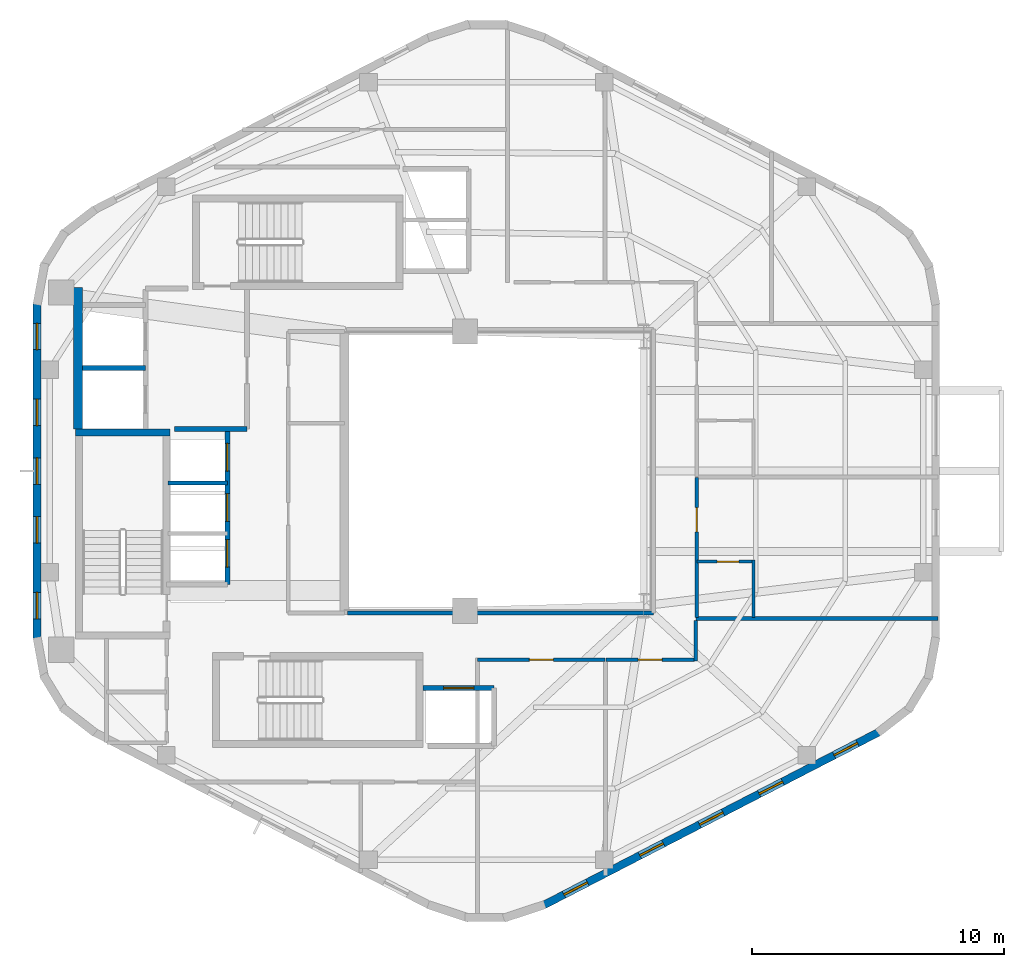
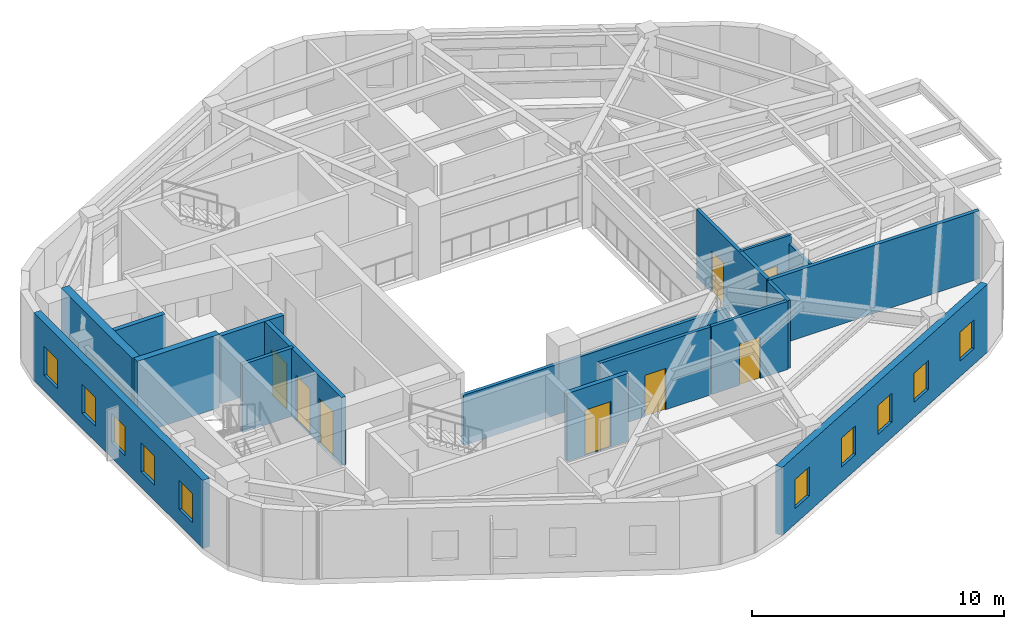
# One storey, part 3 of 6: 17 walls, 10 windows, 8 doors, 18 openings.
"""IFC4 building model written with IfcOpenShell, lengths in metres."""

from ifc_helpers import new_model, si_unit, direction, frame, frame_2d, origin, place, context, subcontext, project, spatial, rectangle, extrude, material, layer, layer_set, type_object, element, fill, save


model = new_model("IFC4")

# Units and contexts
model_context = context("Model", 3, precision=1e-05, world=origin(), true_north=direction((0.0, 1.0)))
body_context = subcontext(model_context, "Body", "Model", "MODEL_VIEW")
ifc_project = project(units=[si_unit("LENGTHUNIT", "METRE"), si_unit("AREAUNIT", "SQUARE_METRE"), si_unit("VOLUMEUNIT", "CUBIC_METRE"), si_unit("PLANEANGLEUNIT", "RADIAN"), si_unit("MASSUNIT", "GRAM", prefix="KILO"), si_unit("THERMODYNAMICTEMPERATUREUNIT", "KELVIN"), si_unit("POWERUNIT", "WATT")], contexts=[model_context])

# Site, building, storey
site_placement = place(None, origin())
site = spatial("IfcSite", under=ifc_project, at=site_placement, CompositionType="ELEMENT")
building_placement = place(site_placement, origin())
building = spatial("IfcBuilding", under=site, at=building_placement, Name="Skarre Station Tower", CompositionType="ELEMENT")
storey_placement = place(building_placement, frame((0.0, 0.0, 252.550048828125)))
storey = spatial("IfcBuildingStorey", under=building, at=storey_placement, Name="L69", CompositionType="ELEMENT", Elevation=252.550048828125)

# Wall
ifc_material_1 = material(Name="Acoustic Steel-Stud Gypsum Partition", Category="steel")
ifc_layer_1 = layer(ifc_material_1, 0.14990234375, Name="Acoustic Steel-Stud Gypsum Partition")
ifc_layer_set_1 = layer_set([ifc_layer_1], Name="Acoustic Steel-Stud Gypsum Partition")
wall_type_1 = type_object("IfcWallType", Name="Fire-Rated Corridor Acoustic Partition 150", PredefinedType="PARTITIONING", material=ifc_layer_set_1)
wall_1_placement = place(storey_placement, frame((27.675048828125, 18.360107421875, 0.0), z_axis=(0.0, 0.0, 1.0), x_axis=(1.0, 0.0, 0.0)))
element("IfcWall", 1, at=wall_1_placement, inside=storey, type_object=wall_type_1, Name="L69 Interior Partition WL-PT-L69-ATRW-S", PredefinedType="PARTITIONING", context=body_context, shape_type="SweptSolid", body=[
    extrude(rectangle(XDim=12.1650390625, YDim=0.14990234375, at=frame_2d((6.08251953125, 0.0))), origin(), (0.0, 0.0, 1.0), 2.430908203125),
])

# Wall, opening, door
wall_2_placement = place(storey_placement, frame((41.56005859375, 18.179931640625, 0.0), z_axis=(0.0, 0.0, 1.0), x_axis=(0.0, 1.0, 0.0)))
wall_2 = element("IfcWall", 2, at=wall_2_placement, inside=storey, type_object=wall_type_1, Name="L69 Interior Partition WL-PT-L69-EW1-CW", PredefinedType="PARTITIONING", context=body_context, shape_type="SweptSolid", body=[
    extrude(rectangle(XDim=5.569091796875, YDim=0.14990234375, at=frame_2d((2.78466796875, 0.0))), origin(), (0.0, 0.0, 1.0), 3.2900390625),
])
opening_1_placement = place(wall_2_placement, frame((3.405029296875, 0.0, 0.0)))
opening_1 = element("IfcOpeningElement", 3, at=opening_1_placement, cuts=wall_2, Name="Opening DR-FD60", PredefinedType="OPENING", context=body_context, shape_type="SweptSolid", body=[
    extrude(rectangle(XDim=0.9599609375, YDim=2.0, at=frame_2d((0.47998046875, 1.0))), frame((0.0, 0.0849609375, 0.0), z_axis=(0.0, -1.0, 0.0), x_axis=(1.0, 0.0, 0.0)), (0.0, 0.0, 1.0), 0.169921875),
])
ifc_material_2 = material(Name="Nordic White-Oak Veneer Solid-Core Fire Leaf", Category="wood")
door_type_1 = type_object("IfcDoorType", Name="Corridor Suite Entry Fire Door FD60 960x2150", OperationType="SINGLE_SWING_LEFT", PredefinedType="DOOR", material=ifc_material_2)
door_1_placement = place(opening_1_placement, origin())
door_1 = element("IfcDoor", 4, at=door_1_placement, inside=storey, type_object=door_type_1, Name="L69 EW1 Entry Door", OperationType="SINGLE_SWING_LEFT", OverallHeight=2.0, OverallWidth=0.9599609375, PredefinedType="DOOR", context=body_context, shape_type="SweptSolid", body=[
    extrude(rectangle(XDim=0.9599609375, YDim=2.0, at=frame_2d((0.47998046875, 1.0))), frame((0.0, 0.02490234375, 0.0), z_axis=(0.0, -1.0, 0.0), x_axis=(1.0, 0.0, 0.0)), (0.0, 0.0, 1.0), 0.050048828125),
])
fill(opening_1, door_1)

# Wall
wall_3_placement = place(storey_placement, frame((41.52001953125, 16.4599609375, 0.0), z_axis=(0.0, 0.0, 1.0), x_axis=(0.0, 1.0, 0.0)))
element("IfcWall", 5, at=wall_3_placement, inside=storey, type_object=wall_type_1, Name="L69 Interior Partition WL-PT-L69-CORR-SER", PredefinedType="PARTITIONING", context=body_context, shape_type="SweptSolid", body=[
    extrude(rectangle(XDim=1.60205078125, YDim=0.14990234375, at=frame_2d((0.801025390625, 0.0))), origin(), (0.0, 0.0, 1.0), 3.2900390625),
])

# Wall, opening, door
wall_4_placement = place(storey_placement, frame((32.85009765625, 16.5, 0.0), z_axis=(0.0, 0.0, 1.0), x_axis=(1.0, 0.0, 0.0)))
wall_4 = element("IfcWall", 6, at=wall_4_placement, inside=storey, type_object=wall_type_1, Name="L69 Interior Partition WL-PT-L69-SW1-CW", PredefinedType="PARTITIONING", context=body_context, shape_type="SweptSolid", body=[
    extrude(rectangle(XDim=5.060791015625, YDim=0.14990234375, at=frame_2d((2.5302734375, 0.0))), origin(), (0.0, 0.0, 1.0), 3.2900390625),
])
opening_2_placement = place(wall_4_placement, frame((2.051025390625, 0.0, 0.0)))
opening_2 = element("IfcOpeningElement", 7, at=opening_2_placement, cuts=wall_4, Name="Opening DR-FD60", PredefinedType="OPENING", context=body_context, shape_type="SweptSolid", body=[
    extrude(rectangle(XDim=0.9599609375, YDim=2.0, at=frame_2d((0.47998046875, 1.0))), frame((0.0, 0.0849609375, 0.0), z_axis=(0.0, -1.0, 0.0), x_axis=(1.0, 0.0, 0.0)), (0.0, 0.0, 1.0), 0.169921875),
])
door_2_placement = place(opening_2_placement, origin())
door_2 = element("IfcDoor", 8, at=door_2_placement, inside=storey, type_object=door_type_1, Name="L69 SW1 Entry Door", OperationType="SINGLE_SWING_LEFT", OverallHeight=2.0, OverallWidth=0.9599609375, PredefinedType="DOOR", context=body_context, shape_type="SweptSolid", body=[
    extrude(rectangle(XDim=0.9599609375, YDim=2.0, at=frame_2d((0.47998046875, 1.0))), frame((0.0, 0.02490234375, 0.0), z_axis=(0.0, -1.0, 0.0), x_axis=(1.0, 0.0, 0.0)), (0.0, 0.0, 1.0), 0.050048828125),
])
fill(opening_2, door_2)

wall_5_placement = place(storey_placement, frame((37.947021484375, 16.5, 0.0), z_axis=(0.0, 0.0, 1.0), x_axis=(1.0, 0.0, 0.0)))
wall_5 = element("IfcWall", 9, at=wall_5_placement, inside=storey, type_object=wall_type_1, Name="L69 Interior Partition WL-PT-L69-SW2-CW", PredefinedType="PARTITIONING", context=body_context, shape_type="SweptSolid", body=[
    extrude(rectangle(XDim=3.512939453125, YDim=0.14990234375, at=frame_2d((1.75634765625, 0.0))), origin(), (0.0, 0.0, 1.0), 3.2900390625),
])
opening_3_placement = place(wall_5_placement, frame((1.277099609375, 0.0, 0.0)))
opening_3 = element("IfcOpeningElement", 10, at=opening_3_placement, cuts=wall_5, Name="Opening DR-FD60", PredefinedType="OPENING", context=body_context, shape_type="SweptSolid", body=[
    extrude(rectangle(XDim=0.9599609375, YDim=2.0, at=frame_2d((0.47998046875, 1.0))), frame((0.0, 0.0849609375, 0.0), z_axis=(0.0, -1.0, 0.0), x_axis=(1.0, 0.0, 0.0)), (0.0, 0.0, 1.0), 0.169921875),
])
door_3_placement = place(opening_3_placement, origin())
door_3 = element("IfcDoor", 11, at=door_3_placement, inside=storey, type_object=door_type_1, Name="L69 SW2 Entry Door", OperationType="SINGLE_SWING_LEFT", OverallHeight=2.0, OverallWidth=0.9599609375, PredefinedType="DOOR", context=body_context, shape_type="SweptSolid", body=[
    extrude(rectangle(XDim=0.9599609375, YDim=2.0, at=frame_2d((0.47998046875, 1.0))), frame((0.0, 0.02490234375, 0.0), z_axis=(0.0, -1.0, 0.0), x_axis=(1.0, 0.0, 0.0)), (0.0, 0.0, 1.0), 0.050048828125),
])
fill(opening_3, door_3)

# Wall
ifc_material_3 = material(Name="Insulated Timber-Stud Gypsum Partition", Category="wood")
ifc_layer_2 = layer(ifc_material_3, 0.1201171875, Name="Insulated Timber-Stud Gypsum Partition")
ifc_layer_set_2 = layer_set([ifc_layer_2], Name="Insulated Timber-Stud Gypsum Partition")
wall_type_2 = type_object("IfcWallType", Name="Internal Suite Acoustic Partition 120", PredefinedType="PARTITIONING", material=ifc_layer_set_2)
wall_6_placement = place(storey_placement, frame((43.820068359375, 18.179931640625, 0.0), z_axis=(0.0, 0.0, 1.0), x_axis=(0.0, 1.0, 0.0)))
element("IfcWall", 12, at=wall_6_placement, inside=storey, type_object=wall_type_2, Name="L69 Interior Partition WL-PT-L69-EW1-EW2", PredefinedType="PARTITIONING", context=body_context, shape_type="SweptSolid", body=[
    extrude(rectangle(XDim=2.280029296875, YDim=0.1201171875, at=frame_2d((1.14013671875, 0.0))), origin(), (0.0, 0.0, 1.0), 2.886962890625),
])

# Wall, opening, door
wall_7_placement = place(storey_placement, frame((43.8798828125, 20.39990234375, 0.0), z_axis=(0.0, 0.0, 1.0), x_axis=(-1.0, 0.0, 0.0)))
wall_7 = element("IfcWall", 13, at=wall_7_placement, inside=storey, type_object=wall_type_2, Name="L69 Interior Partition WL-PT-L69-EW1-EW3", PredefinedType="PARTITIONING", context=body_context, shape_type="SweptSolid", body=[
    extrude(rectangle(XDim=2.31982421875, YDim=0.1201171875, at=frame_2d((1.159912109375, 0.0))), origin(), (0.0, 0.0, 1.0), 3.2900390625),
])
opening_4_placement = place(wall_7_placement, frame((0.64990234375, 0.0, 0.0)))
opening_4 = element("IfcOpeningElement", 14, at=opening_4_placement, cuts=wall_7, Name="Opening DR-INT86", PredefinedType="OPENING", context=body_context, shape_type="SweptSolid", body=[
    extrude(rectangle(XDim=0.860107421875, YDim=2.0, at=frame_2d((0.43017578125, 1.0))), frame((0.0, 0.070068359375, 0.0), z_axis=(0.0, -1.0, 0.0), x_axis=(1.0, 0.0, 0.0)), (0.0, 0.0, 1.0), 0.14013671875),
])
ifc_material_4 = material(Name="Nordic Birch Acoustic Solid-Core Timber Leaf", Category="wood")
door_type_2 = type_object("IfcDoorType", Name="Internal En-Suite & Bedroom Door 860x2100", OperationType="SINGLE_SWING_LEFT", PredefinedType="DOOR", material=ifc_material_4)
door_4_placement = place(opening_4_placement, origin())
door_4 = element("IfcDoor", 15, at=door_4_placement, inside=storey, type_object=door_type_2, Name="L69 EW1 En-suite Door", OperationType="SINGLE_SWING_RIGHT", OverallHeight=2.0, OverallWidth=0.860107421875, PredefinedType="DOOR", context=body_context, shape_type="SweptSolid", body=[
    extrude(rectangle(XDim=0.860107421875, YDim=2.0, at=frame_2d((0.43017578125, 1.0))), frame((0.0, 0.02490234375, 0.0), z_axis=(0.0, -1.0, 0.0), x_axis=(1.0, 0.0, 0.0)), (0.0, 0.0, 1.0), 0.050048828125),
])
fill(opening_4, door_4)

# Wall, openings, windows
ifc_material_5 = material(Name="Precast concrete C45/55", Category="concrete")
ifc_layer_3 = layer(ifc_material_5, 0.31005859375, Name="Precast concrete C45/55")
ifc_layer_set_3 = layer_set([ifc_layer_3], Name="Precast concrete C45/55")
wall_type_3 = type_object("IfcWallType", Name="Nordic Upper-Zone Precast Facet Wall 310", PredefinedType="STANDARD", material=ifc_layer_set_3)
wall_8_placement = place(storey_placement, frame((15.342041015625, 17.298095703125, 0.0), z_axis=(0.0, 0.0, 1.0), x_axis=(0.0, 1.0, 0.0)))
wall_8 = element("IfcWall", 16, at=wall_8_placement, inside=storey, type_object=wall_type_3, Name="L69 Facet 2 Nordic Precast Masonry Wall", PredefinedType="STANDARD", context=body_context, shape_type="SweptSolid", body=[
    extrude(rectangle(XDim=13.40380859375, YDim=0.31005859375, at=frame_2d((6.701904296875, 0.0))), origin(), (0.0, 0.0, 1.0), 3.2900390625),
])
opening_5_placement = place(wall_8_placement, frame((0.8310546875, 0.0, 0.75)))
opening_5 = element("IfcOpeningElement", 17, at=opening_5_placement, cuts=wall_8, Name="Opening WN-SLT", PredefinedType="OPENING", context=body_context, shape_type="SweptSolid", body=[
    extrude(rectangle(XDim=1.050048828125, YDim=1.39990234375, at=frame_2d((0.52490234375, 0.699951171875))), frame((0.0, 0.1650390625, 0.0), z_axis=(0.0, -1.0, 0.0), x_axis=(1.0, 0.0, 0.0)), (0.0, 0.0, 1.0), 0.330078125),
])
opening_6_placement = place(wall_8_placement, frame((3.843017578125, 0.0, 0.75)))
opening_6 = element("IfcOpeningElement", 18, at=opening_6_placement, cuts=wall_8, Name="Opening WN-SLT", PredefinedType="OPENING", context=body_context, shape_type="SweptSolid", body=[
    extrude(rectangle(XDim=1.050048828125, YDim=1.39990234375, at=frame_2d((0.52490234375, 0.699951171875))), frame((0.0, 0.1650390625, 0.0), z_axis=(0.0, -1.0, 0.0), x_axis=(1.0, 0.0, 0.0)), (0.0, 0.0, 1.0), 0.330078125),
])
opening_7_placement = place(wall_8_placement, frame((6.177001953125, 0.0, 0.75)))
opening_7 = element("IfcOpeningElement", 19, at=opening_7_placement, cuts=wall_8, Name="Opening WN-SLT", PredefinedType="OPENING", context=body_context, shape_type="SweptSolid", body=[
    extrude(rectangle(XDim=1.050048828125, YDim=1.39990234375, at=frame_2d((0.52490234375, 0.699951171875))), frame((0.0, 0.1650390625, 0.0), z_axis=(0.0, -1.0, 0.0), x_axis=(1.0, 0.0, 0.0)), (0.0, 0.0, 1.0), 0.330078125),
])
opening_8_placement = place(wall_8_placement, frame((8.510986328125, 0.0, 0.75)))
opening_8 = element("IfcOpeningElement", 20, at=opening_8_placement, cuts=wall_8, Name="Opening WN-SLT", PredefinedType="OPENING", context=body_context, shape_type="SweptSolid", body=[
    extrude(rectangle(XDim=1.050048828125, YDim=1.39990234375, at=frame_2d((0.52490234375, 0.699951171875))), frame((0.0, 0.1650390625, 0.0), z_axis=(0.0, -1.0, 0.0), x_axis=(1.0, 0.0, 0.0)), (0.0, 0.0, 1.0), 0.330078125),
])
opening_9_placement = place(wall_8_placement, frame((11.52392578125, 0.0, 0.75)))
opening_9 = element("IfcOpeningElement", 21, at=opening_9_placement, cuts=wall_8, Name="Opening WN-SLT", PredefinedType="OPENING", context=body_context, shape_type="SweptSolid", body=[
    extrude(rectangle(XDim=1.050048828125, YDim=1.39990234375, at=frame_2d((0.52490234375, 0.699951171875))), frame((0.0, 0.1650390625, 0.0), z_axis=(0.0, -1.0, 0.0), x_axis=(1.0, 0.0, 0.0)), (0.0, 0.0, 1.0), 0.330078125),
])
ifc_material_6 = material(Name="Low-Iron Triple Glazing with Bronze Anodized Frame", Category="glass")
window_type = type_object("IfcWindowType", Name="Nordic Corner Slot Window 1050x1400", PartitioningType="SINGLE_PANEL", PredefinedType="WINDOW", material=ifc_material_6)
window_1_placement = place(opening_5_placement, origin())
window_1 = element("IfcWindow", 22, at=window_1_placement, inside=storey, type_object=window_type, Name="L69 Facade Window WL-FAC-L69-F2-1", OverallHeight=1.39990234375, OverallWidth=1.050048828125, PartitioningType="SINGLE_PANEL", PredefinedType="WINDOW", context=body_context, shape_type="SweptSolid", body=[
    extrude(rectangle(XDim=1.050048828125, YDim=1.39990234375, at=frame_2d((0.52490234375, 0.699951171875))), frame((0.0, 0.030029296875, 0.0), z_axis=(0.0, -1.0, 0.0), x_axis=(1.0, 0.0, 0.0)), (0.0, 0.0, 1.0), 0.06005859375),
])
fill(opening_5, window_1)
window_2_placement = place(opening_6_placement, origin())
window_2 = element("IfcWindow", 23, at=window_2_placement, inside=storey, type_object=window_type, Name="L69 Facade Window WL-FAC-L69-F2-2", OverallHeight=1.39990234375, OverallWidth=1.050048828125, PartitioningType="SINGLE_PANEL", PredefinedType="WINDOW", context=body_context, shape_type="SweptSolid", body=[
    extrude(rectangle(XDim=1.050048828125, YDim=1.39990234375, at=frame_2d((0.52490234375, 0.699951171875))), frame((0.0, 0.030029296875, 0.0), z_axis=(0.0, -1.0, 0.0), x_axis=(1.0, 0.0, 0.0)), (0.0, 0.0, 1.0), 0.06005859375),
])
fill(opening_6, window_2)
window_3_placement = place(opening_7_placement, origin())
window_3 = element("IfcWindow", 24, at=window_3_placement, inside=storey, type_object=window_type, Name="L69 Facade Window WL-FAC-L69-F2-3", OverallHeight=1.39990234375, OverallWidth=1.050048828125, PartitioningType="SINGLE_PANEL", PredefinedType="WINDOW", context=body_context, shape_type="SweptSolid", body=[
    extrude(rectangle(XDim=1.050048828125, YDim=1.39990234375, at=frame_2d((0.52490234375, 0.699951171875))), frame((0.0, 0.030029296875, 0.0), z_axis=(0.0, -1.0, 0.0), x_axis=(1.0, 0.0, 0.0)), (0.0, 0.0, 1.0), 0.06005859375),
])
fill(opening_7, window_3)
window_4_placement = place(opening_8_placement, origin())
window_4 = element("IfcWindow", 25, at=window_4_placement, inside=storey, type_object=window_type, Name="L69 Facade Window WL-FAC-L69-F2-4", OverallHeight=1.39990234375, OverallWidth=1.050048828125, PartitioningType="SINGLE_PANEL", PredefinedType="WINDOW", context=body_context, shape_type="SweptSolid", body=[
    extrude(rectangle(XDim=1.050048828125, YDim=1.39990234375, at=frame_2d((0.52490234375, 0.699951171875))), frame((0.0, 0.030029296875, 0.0), z_axis=(0.0, -1.0, 0.0), x_axis=(1.0, 0.0, 0.0)), (0.0, 0.0, 1.0), 0.06005859375),
])
fill(opening_8, window_4)
window_5_placement = place(opening_9_placement, origin())
window_5 = element("IfcWindow", 26, at=window_5_placement, inside=storey, type_object=window_type, Name="L69 Facade Window WL-FAC-L69-F2-5", OverallHeight=1.39990234375, OverallWidth=1.050048828125, PartitioningType="SINGLE_PANEL", PredefinedType="WINDOW", context=body_context, shape_type="SweptSolid", body=[
    extrude(rectangle(XDim=1.050048828125, YDim=1.39990234375, at=frame_2d((0.52490234375, 0.699951171875))), frame((0.0, 0.030029296875, 0.0), z_axis=(0.0, -1.0, 0.0), x_axis=(1.0, 0.0, 0.0)), (0.0, 0.0, 1.0), 0.06005859375),
])
fill(opening_9, window_5)

wall_9_placement = place(storey_placement, frame((48.833984375, 13.64599609375, 0.0), z_axis=(0.0, 0.0, 1.0), x_axis=(-0.888581481622, -0.458718814218, 0.0)))
wall_9 = element("IfcWall", 27, at=wall_9_placement, inside=storey, type_object=wall_type_3, Name="L69 Facet 4 Nordic Precast Masonry Wall", PredefinedType="STANDARD", context=body_context, shape_type="SweptSolid", body=[
    extrude(rectangle(XDim=15.076904296875, YDim=0.31005859375, at=frame_2d((7.53857421875, 0.0))), origin(), (0.0, 0.0, 1.0), 3.2900390625),
])
opening_10_placement = place(wall_9_placement, frame((0.998046875, 0.0, 0.75)))
opening_10 = element("IfcOpeningElement", 28, at=opening_10_placement, cuts=wall_9, Name="Opening WN-SLT", PredefinedType="OPENING", context=body_context, shape_type="SweptSolid", body=[
    extrude(rectangle(XDim=1.050048828125, YDim=1.39990234375, at=frame_2d((0.52490234375, 0.699951171875))), frame((0.0, 0.1650390625, 0.0), z_axis=(0.0, -1.0, 0.0), x_axis=(1.0, 0.0, 0.0)), (0.0, 0.0, 1.0), 0.330078125),
])
opening_11_placement = place(wall_9_placement, frame((4.344970703125, 0.0, 0.75)))
opening_11 = element("IfcOpeningElement", 29, at=opening_11_placement, cuts=wall_9, Name="Opening WN-SLT", PredefinedType="OPENING", context=body_context, shape_type="SweptSolid", body=[
    extrude(rectangle(XDim=1.050048828125, YDim=1.39990234375, at=frame_2d((0.52490234375, 0.699951171875))), frame((0.0, 0.1650390625, 0.0), z_axis=(0.0, -1.0, 0.0), x_axis=(1.0, 0.0, 0.0)), (0.0, 0.0, 1.0), 0.330078125),
])
opening_12_placement = place(wall_9_placement, frame((7.013916015625, 0.0, 0.75)))
opening_12 = element("IfcOpeningElement", 30, at=opening_12_placement, cuts=wall_9, Name="Opening WN-SLT", PredefinedType="OPENING", context=body_context, shape_type="SweptSolid", body=[
    extrude(rectangle(XDim=1.050048828125, YDim=1.39990234375, at=frame_2d((0.52490234375, 0.699951171875))), frame((0.0, 0.1650390625, 0.0), z_axis=(0.0, -1.0, 0.0), x_axis=(1.0, 0.0, 0.0)), (0.0, 0.0, 1.0), 0.330078125),
])
opening_13_placement = place(wall_9_placement, frame((9.68310546875, 0.0, 0.75)))
opening_13 = element("IfcOpeningElement", 31, at=opening_13_placement, cuts=wall_9, Name="Opening WN-SLT", PredefinedType="OPENING", context=body_context, shape_type="SweptSolid", body=[
    extrude(rectangle(XDim=1.050048828125, YDim=1.39990234375, at=frame_2d((0.52490234375, 0.699951171875))), frame((0.0, 0.1650390625, 0.0), z_axis=(0.0, -1.0, 0.0), x_axis=(1.0, 0.0, 0.0)), (0.0, 0.0, 1.0), 0.330078125),
])
opening_14_placement = place(wall_9_placement, frame((13.077880859375, 0.0, 0.75)))
opening_14 = element("IfcOpeningElement", 32, at=opening_14_placement, cuts=wall_9, Name="Opening WN-SLT", PredefinedType="OPENING", context=body_context, shape_type="SweptSolid", body=[
    extrude(rectangle(XDim=1.050048828125, YDim=1.39990234375, at=frame_2d((0.52490234375, 0.699951171875))), frame((0.0, 0.1650390625, 0.0), z_axis=(0.0, -1.0, 0.0), x_axis=(1.0, 0.0, 0.0)), (0.0, 0.0, 1.0), 0.330078125),
])
window_6_placement = place(opening_10_placement, origin())
window_6 = element("IfcWindow", 33, at=window_6_placement, inside=storey, type_object=window_type, Name="L69 Facade Window WL-FAC-L69-F4-1", OverallHeight=1.39990234375, OverallWidth=1.050048828125, PartitioningType="SINGLE_PANEL", PredefinedType="WINDOW", context=body_context, shape_type="SweptSolid", body=[
    extrude(rectangle(XDim=1.050048828125, YDim=1.39990234375, at=frame_2d((0.52490234375, 0.699951171875))), frame((0.0, 0.030029296875, 0.0), z_axis=(0.0, -1.0, 0.0), x_axis=(1.0, 0.0, 0.0)), (0.0, 0.0, 1.0), 0.06005859375),
])
fill(opening_10, window_6)
window_7_placement = place(opening_11_placement, origin())
window_7 = element("IfcWindow", 34, at=window_7_placement, inside=storey, type_object=window_type, Name="L69 Facade Window WL-FAC-L69-F4-2", OverallHeight=1.39990234375, OverallWidth=1.050048828125, PartitioningType="SINGLE_PANEL", PredefinedType="WINDOW", context=body_context, shape_type="SweptSolid", body=[
    extrude(rectangle(XDim=1.050048828125, YDim=1.39990234375, at=frame_2d((0.52490234375, 0.699951171875))), frame((0.0, 0.030029296875, 0.0), z_axis=(0.0, -1.0, 0.0), x_axis=(1.0, 0.0, 0.0)), (0.0, 0.0, 1.0), 0.06005859375),
])
fill(opening_11, window_7)
window_8_placement = place(opening_12_placement, origin())
window_8 = element("IfcWindow", 35, at=window_8_placement, inside=storey, type_object=window_type, Name="L69 Facade Window WL-FAC-L69-F4-3", OverallHeight=1.39990234375, OverallWidth=1.050048828125, PartitioningType="SINGLE_PANEL", PredefinedType="WINDOW", context=body_context, shape_type="SweptSolid", body=[
    extrude(rectangle(XDim=1.050048828125, YDim=1.39990234375, at=frame_2d((0.52490234375, 0.699951171875))), frame((0.0, 0.030029296875, 0.0), z_axis=(0.0, -1.0, 0.0), x_axis=(1.0, 0.0, 0.0)), (0.0, 0.0, 1.0), 0.06005859375),
])
fill(opening_12, window_8)
window_9_placement = place(opening_13_placement, origin())
window_9 = element("IfcWindow", 36, at=window_9_placement, inside=storey, type_object=window_type, Name="L69 Facade Window WL-FAC-L69-F4-4", OverallHeight=1.39990234375, OverallWidth=1.050048828125, PartitioningType="SINGLE_PANEL", PredefinedType="WINDOW", context=body_context, shape_type="SweptSolid", body=[
    extrude(rectangle(XDim=1.050048828125, YDim=1.39990234375, at=frame_2d((0.52490234375, 0.699951171875))), frame((0.0, 0.030029296875, 0.0), z_axis=(0.0, -1.0, 0.0), x_axis=(1.0, 0.0, 0.0)), (0.0, 0.0, 1.0), 0.06005859375),
])
fill(opening_13, window_9)
window_10_placement = place(opening_14_placement, origin())
window_10 = element("IfcWindow", 37, at=window_10_placement, inside=storey, type_object=window_type, Name="L69 Facade Window WL-FAC-L69-F4-5", OverallHeight=1.39990234375, OverallWidth=1.050048828125, PartitioningType="SINGLE_PANEL", PredefinedType="WINDOW", context=body_context, shape_type="SweptSolid", body=[
    extrude(rectangle(XDim=1.050048828125, YDim=1.39990234375, at=frame_2d((0.52490234375, 0.699951171875))), frame((0.0, 0.030029296875, 0.0), z_axis=(0.0, -1.0, 0.0), x_axis=(1.0, 0.0, 0.0)), (0.0, 0.0, 1.0), 0.06005859375),
])
fill(opening_14, window_10)

# Walls
ifc_material_7 = material(Name="Concrete C50/60", Category="concrete")
ifc_layer_4 = layer(ifc_material_7, 0.280029296875, Name="Concrete C50/60")
ifc_layer_set_4 = layer_set([ifc_layer_4], Name="Concrete C50/60")
wall_type_4 = type_object("IfcWallType", Name="RC Core Shear Wall 280", PredefinedType="SHEAR", material=ifc_layer_set_4)
wall_10_placement = place(storey_placement, frame((20.6298828125, 25.5400390625, 0.0), z_axis=(0.0, 0.0, 1.0), x_axis=(-1.0, 0.0, 0.0)))
element("IfcWall", 38, at=wall_10_placement, inside=storey, type_object=wall_type_4, Name="L69 Stair ST-1 North Shear Wall", PredefinedType="SHEAR", context=body_context, shape_type="SweptSolid", body=[
    extrude(rectangle(XDim=3.759765625, YDim=0.280029296875, at=frame_2d((1.8798828125, 0.0))), origin(), (0.0, 0.0, 1.0), 3.550048828125),
])
ifc_layer_5 = layer(ifc_material_7, 0.360107421875, Name="Concrete C50/60")
ifc_layer_set_5 = layer_set([ifc_layer_5], Name="Concrete C50/60")
wall_type_5 = type_object("IfcWallType", Name="RC Core Shear Wall 360", PredefinedType="SHEAR", material=ifc_layer_set_5)
wall_11_placement = place(storey_placement, frame((16.969970703125, 25.679931640625, 0.0), z_axis=(0.0, 0.0, 1.0), x_axis=(0.0, 1.0, 0.0)))
element("IfcWall", 39, at=wall_11_placement, inside=storey, type_object=wall_type_5, Name="L69 Core West-North Shear Wall", PredefinedType="SHEAR", context=body_context, shape_type="SweptSolid", body=[
    extrude(rectangle(XDim=5.6201171875, YDim=0.360107421875, at=frame_2d((2.81005859375, 0.0))), origin(), (0.0, 0.0, 1.0), 3.550048828125),
])
ifc_material_8 = material(Name="Gypsum Concrete Shaft Assembly C30/37", Category="concrete")
ifc_layer_6 = layer(ifc_material_8, 0.199951171875, Name="Gypsum Concrete Shaft Assembly C30/37")
ifc_layer_set_6 = layer_set([ifc_layer_6], Name="Gypsum Concrete Shaft Assembly C30/37")
wall_type_6 = type_object("IfcWallType", Name="Shaft & Core Fire Partition 200", PredefinedType="PARTITIONING", material=ifc_layer_set_6)
wall_12_placement = place(storey_placement, frame((20.79296875, 25.679931640625, 0.0), z_axis=(0.0, 0.0, 1.0), x_axis=(1.0, 0.0, 0.0)))
element("IfcWall", 40, at=wall_12_placement, inside=storey, type_object=wall_type_6, Name="L69 Interior Partition WL-PT-L69-FSAE-S", PredefinedType="PARTITIONING", context=body_context, shape_type="SweptSolid", body=[
    extrude(rectangle(XDim=2.886962890625, YDim=0.199951171875, at=frame_2d((1.443359375, 0.0))), origin(), (0.0, 0.0, 1.0), 3.2900390625),
])
wall_13_placement = place(storey_placement, frame((17.14990234375, 28.10009765625, 0.0), z_axis=(0.0, 0.0, 1.0), x_axis=(1.0, 0.0, 0.0)))
element("IfcWall", 41, at=wall_13_placement, inside=storey, type_object=wall_type_6, Name="L69 Interior Partition WL-PT-L69-FF-DIV", PredefinedType="PARTITIONING", context=body_context, shape_type="SweptSolid", body=[
    extrude(rectangle(XDim=2.5, YDim=0.199951171875, at=frame_2d((1.25, 0.0))), origin(), (0.0, 0.0, 1.0), 3.2900390625),
])

# Wall, opening, door
wall_14_placement = place(storey_placement, frame((33.5, 15.3798828125, 0.0), z_axis=(0.0, 0.0, 1.0), x_axis=(-1.0, 0.0, 0.0)))
wall_14 = element("IfcWall", 42, at=wall_14_placement, inside=storey, type_object=wall_type_6, Name="L69 Interior Partition WL-PT-L69-SV1-N", PredefinedType="PARTITIONING", context=body_context, shape_type="SweptSolid", body=[
    extrude(rectangle(XDim=2.820068359375, YDim=0.199951171875, at=frame_2d((1.41015625, 0.0))), origin(), (0.0, 0.0, 1.0), 3.2900390625),
])
opening_15_placement = place(wall_14_placement, frame((0.800048828125, 0.0, 0.0)))
opening_15 = element("IfcOpeningElement", 43, at=opening_15_placement, cuts=wall_14, Name="Opening LD-SV1", PredefinedType="OPENING", context=body_context, shape_type="SweptSolid", body=[
    extrude(rectangle(XDim=1.199951171875, YDim=2.199951171875, at=frame_2d((0.60009765625, 1.10009765625))), frame((0.0, 0.10986328125, 0.0), z_axis=(0.0, -1.0, 0.0), x_axis=(1.0, 0.0, 0.0)), (0.0, 0.0, 1.0), 0.219970703125),
])
ifc_material_9 = material(Name="Heavy-Gauge Brushed Stainless Steel Sliding Leaves", Category="steel")
door_type_3 = type_object("IfcDoorType", Name="Service Elevator Wide Sliding Landing Door 1200x2200", OperationType="SLIDING_TO_RIGHT", PredefinedType="DOOR", material=ifc_material_9)
door_5_placement = place(opening_15_placement, origin())
door_5 = element("IfcDoor", 44, at=door_5_placement, inside=storey, type_object=door_type_3, Name="L69 Service Lift LF-SV1 Landing Door", OperationType="SLIDING_TO_RIGHT", OverallHeight=2.199951171875, OverallWidth=1.199951171875, PredefinedType="DOOR", context=body_context, shape_type="SweptSolid", body=[
    extrude(rectangle(XDim=1.199951171875, YDim=2.199951171875, at=frame_2d((0.60009765625, 1.10009765625))), frame((0.0, 0.02490234375, 0.0), z_axis=(0.0, -1.0, 0.0), x_axis=(1.0, 0.0, 0.0)), (0.0, 0.0, 1.0), 0.050048828125),
])
fill(opening_15, door_5)

# Wall, openings, doors
wall_15_placement = place(storey_placement, frame((22.89990234375, 19.5, 0.0), z_axis=(0.0, 0.0, 1.0), x_axis=(0.0, 1.0, 0.0)))
wall_15 = element("IfcWall", 45, at=wall_15_placement, inside=storey, type_object=wall_type_6, Name="L69 Interior Partition WL-PT-L69-B3-E", PredefinedType="PARTITIONING", context=body_context, shape_type="SweptSolid", body=[
    extrude(rectangle(XDim=6.0849609375, YDim=0.199951171875, at=frame_2d((3.04248046875, 0.0))), origin(), (0.0, 0.0, 1.0), 3.2900390625),
])
opening_16_placement = place(wall_15_placement, frame((0.679931640625, 0.0, 0.0)))
opening_16 = element("IfcOpeningElement", 46, at=opening_16_placement, cuts=wall_15, Name="Opening LD-P7", PredefinedType="OPENING", context=body_context, shape_type="SweptSolid", body=[
    extrude(rectangle(XDim=1.10009765625, YDim=2.199951171875, at=frame_2d((0.550048828125, 1.10009765625))), frame((0.0, 0.10986328125, 0.0), z_axis=(0.0, -1.0, 0.0), x_axis=(1.0, 0.0, 0.0)), (0.0, 0.0, 1.0), 0.219970703125),
])
opening_17_placement = place(wall_15_placement, frame((2.5, 0.0, 0.0)))
opening_17 = element("IfcOpeningElement", 47, at=opening_17_placement, cuts=wall_15, Name="Opening LD-P8", PredefinedType="OPENING", context=body_context, shape_type="SweptSolid", body=[
    extrude(rectangle(XDim=1.10009765625, YDim=2.199951171875, at=frame_2d((0.550048828125, 1.10009765625))), frame((0.0, 0.10986328125, 0.0), z_axis=(0.0, -1.0, 0.0), x_axis=(1.0, 0.0, 0.0)), (0.0, 0.0, 1.0), 0.219970703125),
])
opening_18_placement = place(wall_15_placement, frame((4.5, 0.0, 0.0)))
opening_18 = element("IfcOpeningElement", 48, at=opening_18_placement, cuts=wall_15, Name="Opening LD-P9", PredefinedType="OPENING", context=body_context, shape_type="SweptSolid", body=[
    extrude(rectangle(XDim=1.10009765625, YDim=2.199951171875, at=frame_2d((0.550048828125, 1.10009765625))), frame((0.0, 0.10986328125, 0.0), z_axis=(0.0, -1.0, 0.0), x_axis=(1.0, 0.0, 0.0)), (0.0, 0.0, 1.0), 0.219970703125),
])
ifc_material_10 = material(Name="Brushed Bronze Stainless Steel Sliding Leaves", Category="steel")
door_type_4 = type_object("IfcDoorType", Name="Passenger Elevator Center-Parting Sliding Door 1100x2200", OperationType="SLIDING_TO_LEFT", PredefinedType="DOOR", material=ifc_material_10)
door_6_placement = place(opening_16_placement, origin())
door_6 = element("IfcDoor", 49, at=door_6_placement, inside=storey, type_object=door_type_4, Name="L69 Passenger Lift LF-P7 Landing Door", OperationType="SLIDING_TO_LEFT", OverallHeight=2.199951171875, OverallWidth=1.10009765625, PredefinedType="DOOR", context=body_context, shape_type="SweptSolid", body=[
    extrude(rectangle(XDim=1.10009765625, YDim=2.199951171875, at=frame_2d((0.550048828125, 1.10009765625))), frame((0.0, 0.02490234375, 0.0), z_axis=(0.0, -1.0, 0.0), x_axis=(1.0, 0.0, 0.0)), (0.0, 0.0, 1.0), 0.050048828125),
])
fill(opening_16, door_6)
door_7_placement = place(opening_17_placement, origin())
door_7 = element("IfcDoor", 50, at=door_7_placement, inside=storey, type_object=door_type_4, Name="L69 Passenger Lift LF-P8 Landing Door", OperationType="SLIDING_TO_LEFT", OverallHeight=2.199951171875, OverallWidth=1.10009765625, PredefinedType="DOOR", context=body_context, shape_type="SweptSolid", body=[
    extrude(rectangle(XDim=1.10009765625, YDim=2.199951171875, at=frame_2d((0.550048828125, 1.10009765625))), frame((0.0, 0.02490234375, 0.0), z_axis=(0.0, -1.0, 0.0), x_axis=(1.0, 0.0, 0.0)), (0.0, 0.0, 1.0), 0.050048828125),
])
fill(opening_17, door_7)
door_8_placement = place(opening_18_placement, origin())
door_8 = element("IfcDoor", 51, at=door_8_placement, inside=storey, type_object=door_type_4, Name="L69 Passenger Lift LF-P9 Landing Door", OperationType="SLIDING_TO_LEFT", OverallHeight=2.199951171875, OverallWidth=1.10009765625, PredefinedType="DOOR", context=body_context, shape_type="SweptSolid", body=[
    extrude(rectangle(XDim=1.10009765625, YDim=2.199951171875, at=frame_2d((0.550048828125, 1.10009765625))), frame((0.0, 0.02490234375, 0.0), z_axis=(0.0, -1.0, 0.0), x_axis=(1.0, 0.0, 0.0)), (0.0, 0.0, 1.0), 0.050048828125),
])
fill(opening_18, door_8)

# Walls
wall_16_placement = place(storey_placement, frame((20.550048828125, 23.52001953125, 0.0), z_axis=(0.0, 0.0, 1.0), x_axis=(1.0, 0.0, 0.0)))
element("IfcWall", 52, at=wall_16_placement, inside=storey, type_object=wall_type_6, Name="L69 Interior Partition WL-PT-L69-B3-D2", PredefinedType="PARTITIONING", context=body_context, shape_type="SweptSolid", body=[
    extrude(rectangle(XDim=2.349853515625, YDim=0.159912109375, at=frame_2d((1.1748046875, 0.0))), origin(), (0.0, 0.0, 1.0), 3.2900390625),
])
ifc_layer_7 = layer(ifc_material_1, 0.1650390625, Name="Acoustic Steel-Stud Gypsum Partition")
ifc_layer_set_7 = layer_set([ifc_layer_7], Name="Acoustic Steel-Stud Gypsum Partition")
wall_type_7 = type_object("IfcWallType", Name="Suite Demising Acoustic Partition 165", PredefinedType="PARTITIONING", material=ifc_layer_set_7)
wall_17_placement = place(storey_placement, frame((41.52001953125, 18.139892578125, 0.0), z_axis=(0.0, 0.0, 1.0), x_axis=(1.0, 0.0, 0.0)))
element("IfcWall", 53, at=wall_17_placement, inside=storey, type_object=wall_type_7, Name="L69 Interior Partition WL-PT-L69-EWB-S", PredefinedType="PARTITIONING", context=body_context, shape_type="SweptSolid", body=[
    extrude(rectangle(XDim=9.623046875, YDim=0.1650390625, at=frame_2d((4.8115234375, 0.0))), origin(), (0.0, 0.0, 1.0), 3.2900390625),
])

save(model, "model.ifc")
